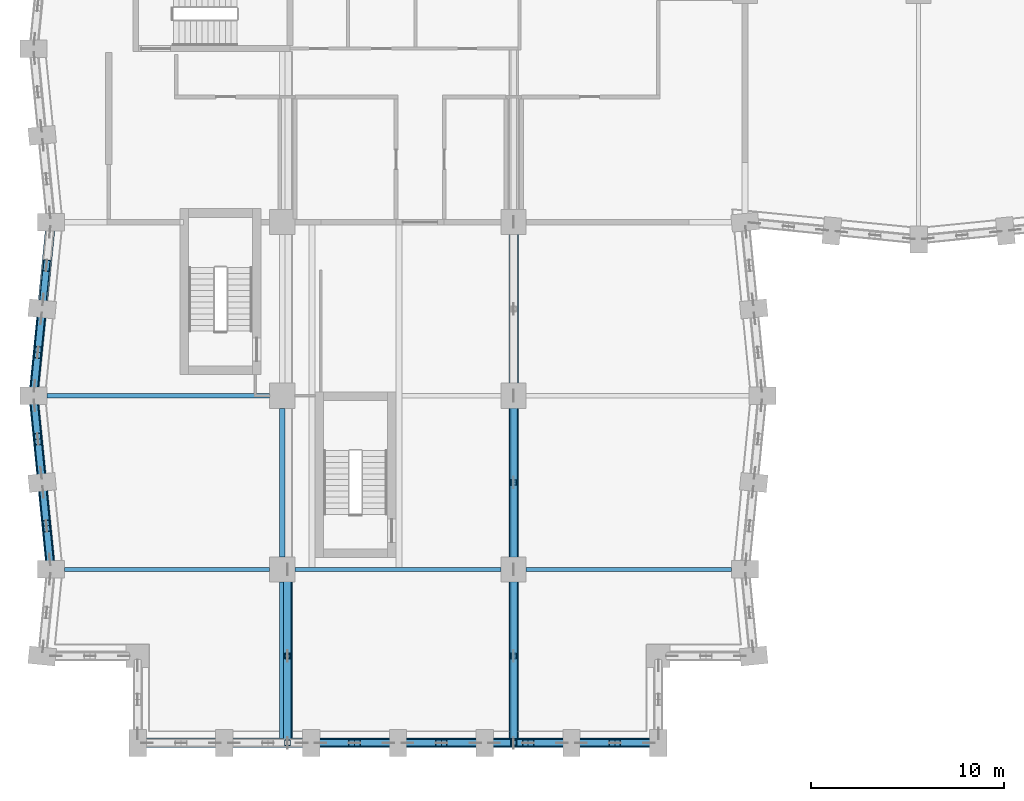
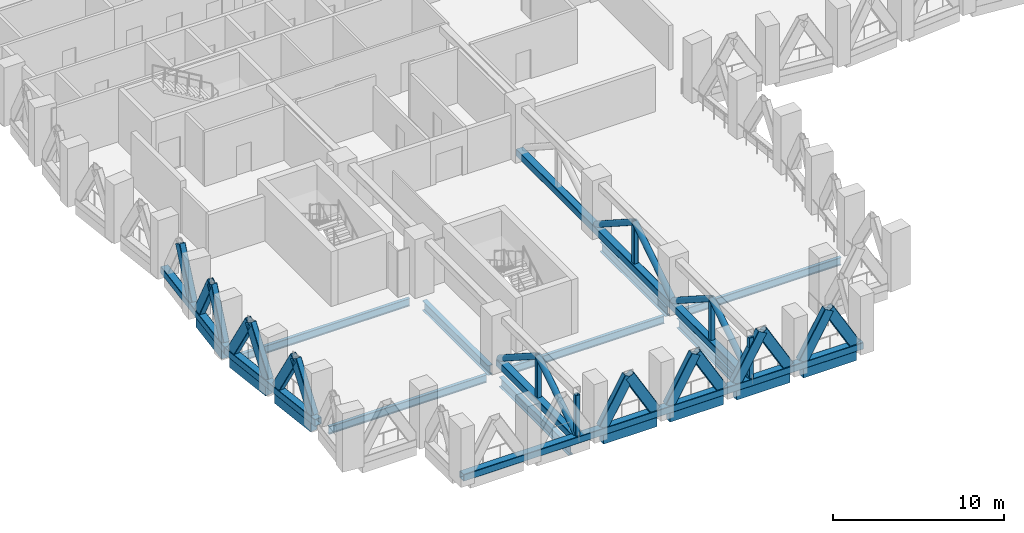
# One storey, part 2 of 25: 31 members, 15 beams.
"""IFC4 building model written with IfcOpenShell, lengths in metres."""

from ifc_helpers import new_model, si_unit, direction, frame, origin, origin_2d, place, context, subcontext, project, spatial, rectangle, hollow_rectangle, hollow_circle, i_section, extrude, material, material_profile, profile_set, type_object, element, save


model = new_model("IFC4")

# Units and contexts
model_context = context("Model", 3, precision=1e-05, world=origin(), true_north=direction((0.0, 1.0)))
body_context = subcontext(model_context, "Body", "Model", "MODEL_VIEW")
ifc_project = project(units=[si_unit("LENGTHUNIT", "METRE"), si_unit("AREAUNIT", "SQUARE_METRE"), si_unit("VOLUMEUNIT", "CUBIC_METRE"), si_unit("PLANEANGLEUNIT", "RADIAN"), si_unit("MASSUNIT", "GRAM", prefix="KILO")], contexts=[model_context])

# Site, building, storey
site_placement = place(None, origin())
site = spatial("IfcSite", under=ifc_project, at=site_placement, CompositionType="ELEMENT")
building_placement = place(site_placement, origin())
building = spatial("IfcBuilding", under=site, at=building_placement, Name="Brondeck Convention Tower", CompositionType="ELEMENT")
storey_placement = place(building_placement, frame((0.0, 0.0, 84.300048828125)))
storey = spatial("IfcBuildingStorey", under=building, at=storey_placement, Name="L19", CompositionType="ELEMENT", Elevation=84.300048828125)

# Members
ifc_material_1 = material(Name="Steel S460", Category="steel")
ifc_material_profile_1 = material_profile(ifc_material_1, hollow_rectangle(XDim=0.39990234375, YDim=0.699951171875, WallThickness=0.030029296875, InnerFilletRadius=0.030029296875, OuterFilletRadius=0.06005859375, at=origin_2d()), Name="RHS 700x400x30")
ifc_profile_set_1 = profile_set([ifc_material_profile_1], Name="Steel S460")
member_type_1 = type_object("IfcMemberType", Name="Chevron brace RHS 700x400x30", PredefinedType="BRACE", material=ifc_profile_set_1)
for number, where, z_axis, x_axis, name in (
    (1, (13.989013671875, 0.0, 0.5), (0.500008478926, 0.0, 0.866020508419), (0.0, 1.0, 0.0), "Belt truss BT-19-3 diagonal"),
    (2, (17.510986328125, 0.0, 0.5), (-0.500008478926, 0.0, 0.866020508419), (0.0, -1.0, 0.0), "Belt truss BT-19-3 diagonal"),
    (3, (18.489013671875, 0.0, 0.5), (0.500008478926, 0.0, 0.866020508419), (0.0, 1.0, 0.0), "Belt truss BT-19-4 diagonal"),
    (4, (22.010986328125, 0.0, 0.5), (-0.500008478926, 0.0, 0.866020508419), (0.0, -1.0, 0.0), "Belt truss BT-19-4 diagonal"),
    (5, (22.989013671875, 0.0, 0.5), (0.500008478926, 0.0, 0.866020508419), (0.0, 1.0, 0.0), "Belt truss BT-19-5 diagonal"),
    (6, (26.510986328125, 0.0, 0.5), (-0.500008478926, 0.0, 0.866020508419), (0.0, -1.0, 0.0), "Belt truss BT-19-5 diagonal"),
    (7, (27.489013671875, 0.0, 0.5), (0.500008478926, 0.0, 0.866020508419), (0.0, 1.0, 0.0), "Belt truss BT-19-6 diagonal"),
    (8, (31.010986328125, 0.0, 0.5), (-0.500008478926, 0.0, 0.866020508419), (0.0, -1.0, 0.0), "Belt truss BT-19-6 diagonal"),
    (9, (-0.400146484375, 22.997802734375, 0.5), (0.049703241745, 0.49751766528, 0.866028729601), (-0.995046794549, 0.099407628771, 0.0), "Belt truss BT-19-54 diagonal"),
    (10, (-0.499755859375, 22.002197265625, 0.5), (-0.049772391254, -0.497515949904, 0.866025743647), (0.995033071281, -0.099544899705, 0.0), "Belt truss BT-19-55 diagonal"),
    (11, (-0.85009765625, 18.497802734375, 0.5), (0.049703241745, 0.49751766528, 0.866028729601), (-0.995046794549, 0.099407628771, 0.0), "Belt truss BT-19-55 diagonal"),
    (12, (-0.85009765625, 17.502197265625, 0.5), (0.049703241745, -0.49751766528, 0.866028729601), (0.995046794549, 0.099407628771, 0.0), "Belt truss BT-19-56 diagonal"),
    (13, (-0.499755859375, 13.997802734375, 0.5), (-0.049772391254, 0.497515949904, 0.866025743647), (-0.995033071281, -0.099544899705, 0.0), "Belt truss BT-19-56 diagonal"),
    (14, (-0.400146484375, 13.002197265625, 0.5), (0.049703241745, -0.49751766528, 0.866028729601), (0.995046794549, 0.099407628771, 0.0), "Belt truss BT-19-57 diagonal"),
    (15, (-0.0498046875, 9.497802734375, 0.5), (-0.049772391254, 0.497515949904, 0.866025743647), (-0.995033071281, -0.099544899705, 0.0), "Belt truss BT-19-57 diagonal"),
):
    element("IfcMember", number, at=place(storey_placement, frame(where, z_axis=z_axis, x_axis=x_axis)), inside=storey, type_object=member_type_1, Name=name, PredefinedType="BRACE", context=body_context, shape_type="SweptSolid", body=[
        extrude(hollow_rectangle(XDim=0.39990234375, YDim=0.699951171875, WallThickness=0.030029296875, InnerFilletRadius=0.030029296875, OuterFilletRadius=0.06005859375, at=origin_2d()), origin(), (0.0, 0.0, 1.0), 3.52197265625),
    ])

# Beams
ifc_material_2 = material(Name="Steel S355", Category="steel")
ifc_material_profile_2 = material_profile(ifc_material_2, i_section(OverallWidth=0.2099609375, OverallDepth=0.550048828125, WebThickness=0.010986328125, FlangeThickness=0.01708984375, FilletRadius=0.02392578125, at=origin_2d()), Name="IPE 550")
ifc_profile_set_2 = profile_set([ifc_material_profile_2], Name="Steel S355")
beam_type_1 = type_object("IfcBeamType", Name="Floor beam IPE 550", PredefinedType="BEAM", material=ifc_profile_set_2)
beam_1_placement = place(storey_placement, frame((0.699951171875, 9.0, -0.574951171875), z_axis=(1.0, 0.0, 0.0), x_axis=(0.0, 1.0, 0.0)))
element("IfcBeam", 16, at=beam_1_placement, inside=storey, type_object=beam_type_1, Name="STR-FB-L19-009", PredefinedType="BEAM", context=body_context, shape_type="SweptSolid", body=[
    extrude(i_section(OverallWidth=0.2099609375, OverallDepth=0.550048828125, WebThickness=0.010986328125, FlangeThickness=0.01708984375, FilletRadius=0.02392578125, at=origin_2d()), origin(), (0.0, 0.0, 1.0), 10.650146484375),
])
beam_2_placement = place(storey_placement, frame((12.64990234375, 9.0, -0.574951171875), z_axis=(1.0, 0.0, 0.0), x_axis=(0.0, 1.0, 0.0)))
element("IfcBeam", 17, at=beam_2_placement, inside=storey, type_object=beam_type_1, Name="STR-FB-L19-010", PredefinedType="BEAM", context=body_context, shape_type="SweptSolid", body=[
    extrude(i_section(OverallWidth=0.2099609375, OverallDepth=0.550048828125, WebThickness=0.010986328125, FlangeThickness=0.01708984375, FilletRadius=0.02392578125, at=origin_2d()), origin(), (0.0, 0.0, 1.0), 10.7001953125),
])
beam_3_placement = place(storey_placement, frame((24.64990234375, 9.0, -0.574951171875), z_axis=(1.0, 0.0, 0.0), x_axis=(0.0, 1.0, 0.0)))
element("IfcBeam", 18, at=beam_3_placement, inside=storey, type_object=beam_type_1, Name="STR-FB-L19-011", PredefinedType="BEAM", context=body_context, shape_type="SweptSolid", body=[
    extrude(i_section(OverallWidth=0.2099609375, OverallDepth=0.550048828125, WebThickness=0.010986328125, FlangeThickness=0.01708984375, FilletRadius=0.02392578125, at=origin_2d()), origin(), (0.0, 0.0, 1.0), 10.650146484375),
])
beam_4_placement = place(storey_placement, frame((-0.199951171875, 18.0, -0.574951171875), z_axis=(1.0, 0.0, 0.0), x_axis=(0.0, 1.0, 0.0)))
element("IfcBeam", 19, at=beam_4_placement, inside=storey, type_object=beam_type_1, Name="STR-FB-L19-012", PredefinedType="BEAM", context=body_context, shape_type="SweptSolid", body=[
    extrude(i_section(OverallWidth=0.2099609375, OverallDepth=0.550048828125, WebThickness=0.010986328125, FlangeThickness=0.01708984375, FilletRadius=0.02392578125, at=origin_2d()), origin(), (0.0, 0.0, 1.0), 11.550048828125),
])
ifc_material_profile_3 = material_profile(ifc_material_2, i_section(OverallWidth=0.300048828125, OverallDepth=0.699951171875, WebThickness=0.01708984375, FlangeThickness=0.031982421875, FilletRadius=0.027099609375, at=origin_2d()), Name="HEB 700")
ifc_profile_set_3 = profile_set([ifc_material_profile_3], Name="Steel S355")
beam_type_2 = type_object("IfcBeamType", Name="Girder HEB 700", PredefinedType="BEAM", material=ifc_profile_set_3)
beam_5_placement = place(storey_placement, frame((12.0, 17.35009765625, -0.650146484375), z_axis=(0.0, -1.0, 0.0), x_axis=(1.0, 0.0, 0.0)))
element("IfcBeam", 20, at=beam_5_placement, inside=storey, type_object=beam_type_2, Name="STR-GR-L19-015", PredefinedType="BEAM", context=body_context, shape_type="SweptSolid", body=[
    extrude(i_section(OverallWidth=0.300048828125, OverallDepth=0.699951171875, WebThickness=0.01708984375, FlangeThickness=0.031982421875, FilletRadius=0.027099609375, at=origin_2d()), origin(), (0.0, 0.0, 1.0), 7.7001953125),
])
beam_6_placement = place(storey_placement, frame((12.0, 8.35009765625, -0.650146484375), z_axis=(0.0, -1.0, 0.0), x_axis=(1.0, 0.0, 0.0)))
element("IfcBeam", 21, at=beam_6_placement, inside=storey, type_object=beam_type_2, Name="STR-GR-L19-016", PredefinedType="BEAM", context=body_context, shape_type="SweptSolid", body=[
    extrude(i_section(OverallWidth=0.300048828125, OverallDepth=0.699951171875, WebThickness=0.01708984375, FlangeThickness=0.031982421875, FilletRadius=0.027099609375, at=origin_2d()), origin(), (0.0, 0.0, 1.0), 8.125),
])
beam_7_placement = place(storey_placement, frame((24.0, 17.35009765625, -0.650146484375), z_axis=(0.0, -1.0, 0.0), x_axis=(1.0, 0.0, 0.0)))
element("IfcBeam", 22, at=beam_7_placement, inside=storey, type_object=beam_type_2, Name="STR-GR-L19-019", PredefinedType="BEAM", context=body_context, shape_type="SweptSolid", body=[
    extrude(i_section(OverallWidth=0.300048828125, OverallDepth=0.699951171875, WebThickness=0.01708984375, FlangeThickness=0.031982421875, FilletRadius=0.027099609375, at=origin_2d()), origin(), (0.0, 0.0, 1.0), 7.7001953125),
])
beam_8_placement = place(storey_placement, frame((24.0, 8.35009765625, -0.650146484375), z_axis=(0.0, -1.0, 0.0), x_axis=(1.0, 0.0, 0.0)))
element("IfcBeam", 23, at=beam_8_placement, inside=storey, type_object=beam_type_2, Name="STR-GR-L19-020", PredefinedType="BEAM", context=body_context, shape_type="SweptSolid", body=[
    extrude(i_section(OverallWidth=0.300048828125, OverallDepth=0.699951171875, WebThickness=0.01708984375, FlangeThickness=0.031982421875, FilletRadius=0.027099609375, at=origin_2d()), origin(), (0.0, 0.0, 1.0), 8.125),
])
ifc_material_3 = material(Name="Concrete C80/95", Category="concrete")
ifc_material_profile_4 = material_profile(ifc_material_3, rectangle(XDim=0.449951171875, YDim=0.64990234375, at=origin_2d()), Name="Precast spandrel 450x650 Concrete C80/95")
ifc_profile_set_4 = profile_set([ifc_material_profile_4], Name="Concrete C80/95")
beam_type_3 = type_object("IfcBeamType", Name="Precast spandrel 450x650 Concrete C80/95", PredefinedType="SPANDREL", material=ifc_profile_set_4)
for number, where, z_axis, x_axis, name in (
    (24, (13.949951171875, 0.0, -0.324951171875), (1.0, 0.0, 0.0), (0.0, 1.0, 0.0), "STR-SP-L19-003"),
    (25, (18.449951171875, 0.0, -0.324951171875), (1.0, 0.0, 0.0), (0.0, 1.0, 0.0), "STR-SP-L19-004"),
    (26, (22.949951171875, 0.0, -0.324951171875), (1.0, 0.0, 0.0), (0.0, 1.0, 0.0), "STR-SP-L19-005"),
    (27, (27.449951171875, 0.0, -0.324951171875), (1.0, 0.0, 0.0), (0.0, 1.0, 0.0), "STR-SP-L19-006"),
):
    element("IfcBeam", number, at=place(storey_placement, frame(where, z_axis=z_axis, x_axis=x_axis)), inside=storey, type_object=beam_type_3, Name=name, PredefinedType="SPANDREL", context=body_context, shape_type="SweptSolid", body=[
        extrude(rectangle(XDim=0.449951171875, YDim=0.64990234375, at=origin_2d()), origin(), (0.0, 0.0, 1.0), 3.60009765625),
    ])
for number, where, z_axis, x_axis, name in (
    (28, (-0.494873046875, 22.05224609375, -0.324951171875), (-0.099470334057, -0.995040528141, 0.0), (0.995040528141, -0.099470334057, 0.0), "STR-SP-L19-055"),
    (29, (-0.85498046875, 17.550048828125, -0.324951171875), (0.099470334057, -0.995040528141, 0.0), (0.995040528141, 0.099470334057, 0.0), "STR-SP-L19-056"),
    (30, (-0.4052734375, 13.05224609375, -0.324951171875), (0.099537103649, -0.995033851182, 0.0), (0.995033851182, 0.099537103649, 0.0), "STR-SP-L19-057"),
):
    element("IfcBeam", number, at=place(storey_placement, frame(where, z_axis=z_axis, x_axis=x_axis)), inside=storey, type_object=beam_type_3, Name=name, PredefinedType="SPANDREL", context=body_context, shape_type="SweptSolid", body=[
        extrude(rectangle(XDim=0.449951171875, YDim=0.64990234375, at=origin_2d()), origin(), (0.0, 0.0, 1.0), 3.620361328125),
    ])

# Members
ifc_material_profile_5 = material_profile(ifc_material_1, hollow_rectangle(XDim=0.5, YDim=0.5, WallThickness=0.02490234375, InnerFilletRadius=0.02490234375, OuterFilletRadius=0.050048828125, at=origin_2d()), Name="RHS 500x500x25")
ifc_profile_set_5 = profile_set([ifc_material_profile_5], Name="Steel S460")
member_type_2 = type_object("IfcMemberType", Name="Truss chord RHS 500x500x25", PredefinedType="CHORD", material=ifc_profile_set_5)
member_1_placement = place(storey_placement, frame((4.5, 0.0, 0.25), z_axis=(1.0, 0.0, 0.0), x_axis=(0.0, 1.0, 0.0)))
element("IfcMember", 31, at=member_1_placement, inside=storey, type_object=member_type_2, Name="Belt truss BT-19-1 chord", PredefinedType="CHORD", context=body_context, shape_type="SweptSolid", body=[
    extrude(hollow_rectangle(XDim=0.5, YDim=0.5, WallThickness=0.02490234375, InnerFilletRadius=0.02490234375, OuterFilletRadius=0.050048828125, at=origin_2d()), origin(), (0.0, 0.0, 1.0), 27.0),
])
for number, where, z_axis, x_axis, name in (
    (32, (0.0, 27.0, 0.25), (-0.099493029059, -0.995038259148, 0.0), (0.995038259148, -0.099493029059, 0.0), "Belt truss BT-19-30 chord"),
    (33, (-0.89990234375, 18.0, 0.25), (0.099493029059, -0.995038259148, 0.0), (0.995038259148, 0.099493029059, 0.0), "Belt truss BT-19-31 chord"),
):
    element("IfcMember", number, at=place(storey_placement, frame(where, z_axis=z_axis, x_axis=x_axis)), inside=storey, type_object=member_type_2, Name=name, PredefinedType="CHORD", context=body_context, shape_type="SweptSolid", body=[
        extrude(hollow_rectangle(XDim=0.5, YDim=0.5, WallThickness=0.02490234375, InnerFilletRadius=0.02490234375, OuterFilletRadius=0.050048828125, at=origin_2d()), origin(), (0.0, 0.0, 1.0), 9.044921875),
    ])
member_2_placement = place(storey_placement, frame((12.27001953125, 9.0, 0.25), z_axis=(0.0, -1.0, 0.0), x_axis=(1.0, 0.0, 0.0)))
element("IfcMember", 34, at=member_2_placement, inside=storey, type_object=member_type_2, Name="Outrigger truss OT-19-B1 chord", PredefinedType="CHORD", context=body_context, shape_type="SweptSolid", body=[
    extrude(hollow_rectangle(XDim=0.5, YDim=0.5, WallThickness=0.02490234375, InnerFilletRadius=0.02490234375, OuterFilletRadius=0.050048828125, at=origin_2d()), origin(), (0.0, 0.0, 1.0), 9.0),
])
member_3_placement = place(storey_placement, frame((24.0, 27.0, 0.25), z_axis=(0.0, -1.0, 0.0), x_axis=(1.0, 0.0, 0.0)))
element("IfcMember", 35, at=member_3_placement, inside=storey, type_object=member_type_2, Name="Outrigger truss OT-19-B2 chord", PredefinedType="CHORD", context=body_context, shape_type="SweptSolid", body=[
    extrude(hollow_rectangle(XDim=0.5, YDim=0.5, WallThickness=0.02490234375, InnerFilletRadius=0.02490234375, OuterFilletRadius=0.050048828125, at=origin_2d()), origin(), (0.0, 0.0, 1.0), 27.0),
])
ifc_material_profile_6 = material_profile(ifc_material_1, hollow_circle(Radius=0.203125, WallThickness=0.02490234375, at=origin_2d()), Name="CHS 406.4x25")
ifc_profile_set_6 = profile_set([ifc_material_profile_6], Name="Steel S460")
member_type_3 = type_object("IfcMemberType", Name="Truss diagonal CHS 406.4x25", PredefinedType="BRACE", material=ifc_profile_set_6)
for number, where, z_axis, x_axis, name in (
    (36, (12.27001953125, 9.0, 0.5), (0.0, -0.84057934116, 0.541688444786), (1.0, 0.0, 0.0), "Outrigger truss OT-19-B1 diagonal"),
    (37, (12.27001953125, 4.5, 3.39990234375), (0.0, -0.84057934116, -0.541688444786), (1.0, 0.0, 0.0), "Outrigger truss OT-19-B1 diagonal"),
    (38, (24.0, 18.0, 0.5), (0.0, -0.84057934116, 0.541688444786), (1.0, 0.0, 0.0), "Outrigger truss OT-19-B2 diagonal"),
    (39, (24.0, 13.5, 3.39990234375), (0.0, -0.84057934116, -0.541688444786), (1.0, 0.0, 0.0), "Outrigger truss OT-19-B2 diagonal"),
    (40, (24.0, 9.0, 0.5), (0.0, -0.84057934116, 0.541688444786), (1.0, 0.0, 0.0), "Outrigger truss OT-19-B2 diagonal"),
    (41, (24.0, 4.5, 3.39990234375), (0.0, -0.84057934116, -0.541688444786), (1.0, 0.0, 0.0), "Outrigger truss OT-19-B2 diagonal"),
):
    element("IfcMember", number, at=place(storey_placement, frame(where, z_axis=z_axis, x_axis=x_axis)), inside=storey, type_object=member_type_3, Name=name, PredefinedType="BRACE", context=body_context, shape_type="SweptSolid", body=[
        extrude(hollow_circle(Radius=0.203125, WallThickness=0.02490234375, at=origin_2d()), origin(), (0.0, 0.0, 1.0), 5.353515625),
    ])
ifc_material_profile_7 = material_profile(ifc_material_1, hollow_rectangle(XDim=0.300048828125, YDim=0.300048828125, WallThickness=0.01611328125, InnerFilletRadius=0.01611328125, OuterFilletRadius=0.031982421875, at=origin_2d()), Name="RHS 300x300x16")
ifc_profile_set_7 = profile_set([ifc_material_profile_7], Name="Steel S460")
member_type_4 = type_object("IfcMemberType", Name="Truss vertical RHS 300x300x16", PredefinedType="STRUT", material=ifc_profile_set_7)
for number, where, z_axis, x_axis, name in (
    (42, (12.27001953125, 4.5, 0.5), (0.0, 0.0, 1.0), (1.0, 0.0, 0.0), "Outrigger truss OT-19-B1 vertical"),
    (43, (12.27001953125, 0.0, 0.5), (0.0, 0.0, 1.0), (1.0, 0.0, 0.0), "Outrigger truss OT-19-B1 vertical"),
    (44, (24.0, 13.5, 0.5), (0.0, 0.0, 1.0), (1.0, 0.0, 0.0), "Outrigger truss OT-19-B2 vertical"),
    (45, (24.0, 4.5, 0.5), (0.0, 0.0, 1.0), (1.0, 0.0, 0.0), "Outrigger truss OT-19-B2 vertical"),
    (46, (24.0, 0.0, 0.5), (0.0, 0.0, 1.0), (1.0, 0.0, 0.0), "Outrigger truss OT-19-B2 vertical"),
):
    element("IfcMember", number, at=place(storey_placement, frame(where, z_axis=z_axis, x_axis=x_axis)), inside=storey, type_object=member_type_4, Name=name, PredefinedType="STRUT", context=body_context, shape_type="SweptSolid", body=[
        extrude(hollow_rectangle(XDim=0.300048828125, YDim=0.300048828125, WallThickness=0.01611328125, InnerFilletRadius=0.01611328125, OuterFilletRadius=0.031982421875, at=origin_2d()), origin(), (0.0, 0.0, 1.0), 2.89990234375),
    ])

save(model, "model.ifc")
